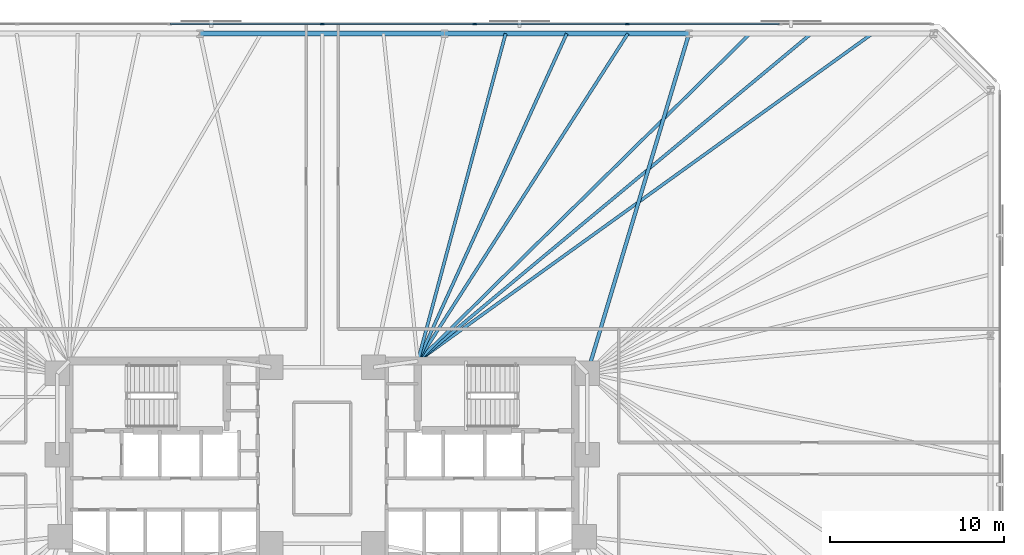
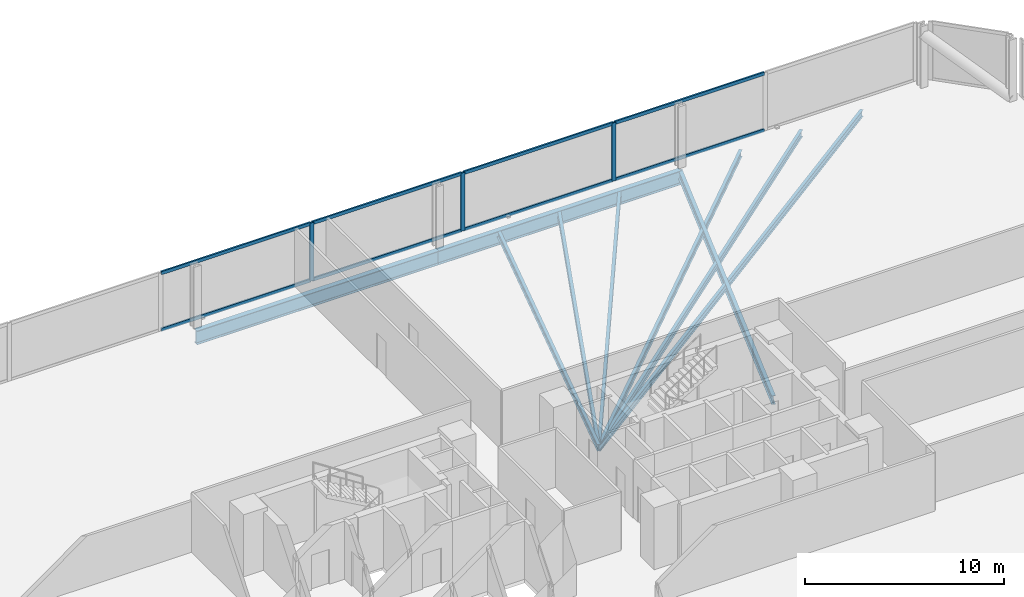
# One storey, part 9 of 16: 11 members, 9 beams, 1 element without a shape of its own.
"""IFC4 building model written with IfcOpenShell, lengths in metres."""

from ifc_helpers import new_model, si_unit, direction, frame, origin, origin_2d, place, context, subcontext, project, spatial, rectangle, i_section, extrude, material, material_profile, profile_set, type_object, element, aggregate, save


model = new_model("IFC4")

# Units and contexts
model_context = context("Model", 3, precision=1e-05, world=origin(), true_north=direction((0.0, 1.0)))
body_context = subcontext(model_context, "Body", "Model", "MODEL_VIEW")
ifc_project = project(units=[si_unit("LENGTHUNIT", "METRE"), si_unit("AREAUNIT", "SQUARE_METRE"), si_unit("VOLUMEUNIT", "CUBIC_METRE"), si_unit("PLANEANGLEUNIT", "RADIAN"), si_unit("MASSUNIT", "GRAM", prefix="KILO")], contexts=[model_context])

# Site, building, storey
site_placement = place(None, origin())
site = spatial("IfcSite", under=ifc_project, at=site_placement, CompositionType="ELEMENT")
building_placement = place(site_placement, origin())
building = spatial("IfcBuilding", under=site, at=building_placement, Name="Menara Jurai Vektor", CompositionType="ELEMENT")
storey_placement = place(building_placement, frame((0.0, 0.0, 67.39990234375)))
storey = spatial("IfcBuildingStorey", under=building, at=storey_placement, Name="L16", CompositionType="ELEMENT", Elevation=67.39990234375)

# Curtain wall, members
ifc_material_1 = material(Name="Anodised Pale Aluminium & Low-E Double Glazing", Category="aluminium")
curtain_wall_type = type_object("IfcCurtainWallType", Name="CW-BLK1", PredefinedType="NOTDEFINED", material=ifc_material_1)
curtain_wall_placement = place(storey_placement, origin())
curtain_wall = element("IfcCurtainWall", 1, at=curtain_wall_placement, inside=storey, type_object=curtain_wall_type, Name="Unitised Curtain Wall L16 F05", PredefinedType="NOTDEFINED")
ifc_material_2 = material(Name="Anodised Pale Aluminium Mullion", Category="aluminium")
ifc_material_profile_1 = material_profile(ifc_material_2, rectangle(XDim=0.094970703125, YDim=0.239990234375, at=origin_2d()), Name="ALU MUL 95x240")
ifc_profile_set_1 = profile_set([ifc_material_profile_1], Name="Anodised Pale Aluminium Mullion")
member_type_1 = type_object("IfcMemberType", Name="CW-BLK1-MUL", PredefinedType="MULLION", material=ifc_profile_set_1)
member_1_placement = place(storey_placement, frame((17.56005859375, 25.0, 0.0), z_axis=(0.0, 0.0, 1.0), x_axis=(0.0, -1.0, 0.0)))
member_1 = element("IfcMember", 2, at=member_1_placement, type_object=member_type_1, Name="CW-01 mullion 3", PredefinedType="MULLION", context=body_context, shape_type="SweptSolid", body=[
    extrude(rectangle(XDim=0.094970703125, YDim=0.239990234375, at=origin_2d()), origin(), (0.0, 0.0, 1.0), 3.5751953125),
])
member_2_placement = place(storey_placement, frame((8.780029296875, 25.0, 0.0), z_axis=(0.0, 0.0, 1.0), x_axis=(0.0, -1.0, 0.0)))
member_2 = element("IfcMember", 3, at=member_2_placement, type_object=member_type_1, Name="CW-01 mullion 4", PredefinedType="MULLION", context=body_context, shape_type="SweptSolid", body=[
    extrude(rectangle(XDim=0.094970703125, YDim=0.239990234375, at=origin_2d()), origin(), (0.0, 0.0, 1.0), 3.5751953125),
])
member_3_placement = place(storey_placement, frame((0.0, 25.0, 0.0), z_axis=(0.0, 0.0, 1.0), x_axis=(0.0, -1.0, 0.0)))
member_3 = element("IfcMember", 4, at=member_3_placement, type_object=member_type_1, Name="CW-01 mullion 5", PredefinedType="MULLION", context=body_context, shape_type="SweptSolid", body=[
    extrude(rectangle(XDim=0.094970703125, YDim=0.239990234375, at=origin_2d()), origin(), (0.0, 0.0, 1.0), 3.5751953125),
])
ifc_material_3 = material(Name="Anodised Pale Aluminium Transom", Category="aluminium")
ifc_material_profile_2 = material_profile(ifc_material_3, rectangle(XDim=0.094970703125, YDim=0.199951171875, at=origin_2d()), Name="ALU TRN 95x200")
ifc_profile_set_2 = profile_set([ifc_material_profile_2], Name="Anodised Pale Aluminium Transom")
member_type_2 = type_object("IfcMemberType", Name="CW-BLK1-TRN", PredefinedType="USERDEFINED", material=ifc_profile_set_2)
member_4_placement = place(storey_placement, frame((26.29248046875, 25.0, 0.047607421875), z_axis=(-1.0, 0.0, 0.0), x_axis=(0.0, -1.0, 0.0)))
member_4 = element("IfcMember", 5, at=member_4_placement, type_object=member_type_2, Name="CW-01 transom 2.1", ObjectType="TRANSOM", PredefinedType="USERDEFINED", context=body_context, shape_type="SweptSolid", body=[
    extrude(rectangle(XDim=0.094970703125, YDim=0.199951171875, at=origin_2d()), origin(), (0.0, 0.0, 1.0), 8.68505859375),
])
member_5_placement = place(storey_placement, frame((26.29248046875, 25.0, 3.527587890625), z_axis=(-1.0, 0.0, 0.0), x_axis=(0.0, -1.0, 0.0)))
member_5 = element("IfcMember", 6, at=member_5_placement, type_object=member_type_2, Name="CW-01 transom 2.2", ObjectType="TRANSOM", PredefinedType="USERDEFINED", context=body_context, shape_type="SweptSolid", body=[
    extrude(rectangle(XDim=0.094970703125, YDim=0.199951171875, at=origin_2d()), origin(), (0.0, 0.0, 1.0), 8.68505859375),
])
member_6_placement = place(storey_placement, frame((17.512451171875, 25.0, 0.047607421875), z_axis=(-1.0, 0.0, 0.0), x_axis=(0.0, -1.0, 0.0)))
member_6 = element("IfcMember", 7, at=member_6_placement, type_object=member_type_2, Name="CW-01 transom 3.1", ObjectType="TRANSOM", PredefinedType="USERDEFINED", context=body_context, shape_type="SweptSolid", body=[
    extrude(rectangle(XDim=0.094970703125, YDim=0.199951171875, at=origin_2d()), origin(), (0.0, 0.0, 1.0), 8.68505859375),
])
member_7_placement = place(storey_placement, frame((17.512451171875, 25.0, 3.527587890625), z_axis=(-1.0, 0.0, 0.0), x_axis=(0.0, -1.0, 0.0)))
member_7 = element("IfcMember", 8, at=member_7_placement, type_object=member_type_2, Name="CW-01 transom 3.2", ObjectType="TRANSOM", PredefinedType="USERDEFINED", context=body_context, shape_type="SweptSolid", body=[
    extrude(rectangle(XDim=0.094970703125, YDim=0.199951171875, at=origin_2d()), origin(), (0.0, 0.0, 1.0), 8.68505859375),
])
member_8_placement = place(storey_placement, frame((8.732421875, 25.0, 0.047607421875), z_axis=(-1.0, 0.0, 0.0), x_axis=(0.0, -1.0, 0.0)))
member_8 = element("IfcMember", 9, at=member_8_placement, type_object=member_type_2, Name="CW-01 transom 4.1", ObjectType="TRANSOM", PredefinedType="USERDEFINED", context=body_context, shape_type="SweptSolid", body=[
    extrude(rectangle(XDim=0.094970703125, YDim=0.199951171875, at=origin_2d()), origin(), (0.0, 0.0, 1.0), 8.684814453125),
])
member_9_placement = place(storey_placement, frame((8.732421875, 25.0, 3.527587890625), z_axis=(-1.0, 0.0, 0.0), x_axis=(0.0, -1.0, 0.0)))
member_9 = element("IfcMember", 10, at=member_9_placement, type_object=member_type_2, Name="CW-01 transom 4.2", ObjectType="TRANSOM", PredefinedType="USERDEFINED", context=body_context, shape_type="SweptSolid", body=[
    extrude(rectangle(XDim=0.094970703125, YDim=0.199951171875, at=origin_2d()), origin(), (0.0, 0.0, 1.0), 8.684814453125),
])
member_10_placement = place(storey_placement, frame((-0.047607421875, 25.0, 0.047607421875), z_axis=(-1.0, 0.0, 0.0), x_axis=(0.0, -1.0, 0.0)))
member_10 = element("IfcMember", 11, at=member_10_placement, type_object=member_type_2, Name="CW-01 transom 5.1", ObjectType="TRANSOM", PredefinedType="USERDEFINED", context=body_context, shape_type="SweptSolid", body=[
    extrude(rectangle(XDim=0.094970703125, YDim=0.199951171875, at=origin_2d()), origin(), (0.0, 0.0, 1.0), 8.684814453125),
])
member_11_placement = place(storey_placement, frame((-0.047607421875, 25.0, 3.527587890625), z_axis=(-1.0, 0.0, 0.0), x_axis=(0.0, -1.0, 0.0)))
member_11 = element("IfcMember", 12, at=member_11_placement, type_object=member_type_2, Name="CW-01 transom 5.2", ObjectType="TRANSOM", PredefinedType="USERDEFINED", context=body_context, shape_type="SweptSolid", body=[
    extrude(rectangle(XDim=0.094970703125, YDim=0.199951171875, at=origin_2d()), origin(), (0.0, 0.0, 1.0), 8.684814453125),
])
aggregate(curtain_wall, [member_1, member_2, member_3, member_4, member_5, member_6, member_7, member_8, member_9, member_10, member_11])

# Beams
ifc_material_4 = material(Name="Steel S355", Category="steel")
ifc_material_profile_3 = material_profile(ifc_material_4, i_section(OverallWidth=0.2109375, OverallDepth=0.5390625, WebThickness=0.011962890625, FlangeThickness=0.01904296875, FilletRadius=0.012939453125, at=origin_2d()), Name="UKB 533x210x109")
ifc_profile_set_3 = profile_set([ifc_material_profile_3], Name="Steel S355")
beam_type_1 = type_object("IfcBeamType", Name="STR-BM-533", PredefinedType="BEAM", material=ifc_profile_set_3)
beam_1_placement = place(storey_placement, frame((21.106689453125, 24.449951171875, -0.494384765625), z_axis=(-0.286973617166, -0.957938486047, 0.0), x_axis=(0.957938486047, -0.286973617166, 0.0)))
element("IfcBeam", 13, at=beam_1_placement, inside=storey, type_object=beam_type_1, Name="Radial Floor Girder L16-N2", PredefinedType="BEAM", context=body_context, shape_type="SweptSolid", body=[
    extrude(i_section(OverallWidth=0.2109375, OverallDepth=0.5390625, WebThickness=0.011962890625, FlangeThickness=0.01904296875, FilletRadius=0.012939453125, at=origin_2d()), origin(), (0.0, 0.0, 1.0), 20.408447265625),
])
ifc_material_profile_4 = material_profile(ifc_material_4, i_section(OverallWidth=0.178955078125, OverallDepth=0.408935546875, WebThickness=0.009033203125, FlangeThickness=0.013916015625, FilletRadius=0.010009765625, at=origin_2d()), Name="UKB 406x178x67")
ifc_profile_set_4 = profile_set([ifc_material_profile_4], Name="Steel S355")
beam_type_2 = type_object("IfcBeamType", Name="STR-JS-406", PredefinedType="JOIST", material=ifc_profile_set_4)
beam_2_placement = place(storey_placement, frame((31.659912109375, 24.449951171875, -0.429443359375), z_axis=(-0.81131785733, -0.584605280833, 0.0), x_axis=(0.584605280833, -0.81131785733, 0.0)))
element("IfcBeam", 14, at=beam_2_placement, inside=storey, type_object=beam_type_2, Name="Radial Secondary Floor Joist L16-JS16", PredefinedType="JOIST", context=body_context, shape_type="SweptSolid", body=[
    extrude(i_section(OverallWidth=0.178955078125, OverallDepth=0.408935546875, WebThickness=0.009033203125, FlangeThickness=0.013916015625, FilletRadius=0.010009765625, at=origin_2d()), origin(), (0.0, 0.0, 1.0), 32.24365234375),
])
beam_3_placement = place(storey_placement, frame((28.142333984375, 24.449951171875, -0.429443359375), z_axis=(-0.76853431665, -0.639808568347, 0.0), x_axis=(0.639808568347, -0.76853431665, 0.0)))
element("IfcBeam", 15, at=beam_3_placement, inside=storey, type_object=beam_type_2, Name="Radial Secondary Floor Joist L16-JS17", PredefinedType="JOIST", context=body_context, shape_type="SweptSolid", body=[
    extrude(i_section(OverallWidth=0.178955078125, OverallDepth=0.408935546875, WebThickness=0.009033203125, FlangeThickness=0.013916015625, FilletRadius=0.010009765625, at=origin_2d()), origin(), (0.0, 0.0, 1.0), 29.461669921875),
])
beam_4_placement = place(storey_placement, frame((24.62451171875, 24.449951171875, -0.429443359375), z_axis=(-0.712202462998, -0.70197411042, 0.0), x_axis=(0.70197411042, -0.712202462998, 0.0)))
element("IfcBeam", 16, at=beam_4_placement, inside=storey, type_object=beam_type_2, Name="Radial Secondary Floor Joist L16-JS18", PredefinedType="JOIST", context=body_context, shape_type="SweptSolid", body=[
    extrude(i_section(OverallWidth=0.178955078125, OverallDepth=0.408935546875, WebThickness=0.009033203125, FlangeThickness=0.013916015625, FilletRadius=0.010009765625, at=origin_2d()), origin(), (0.0, 0.0, 1.0), 26.8525390625),
])
beam_5_placement = place(storey_placement, frame((17.5888671875, 24.449951171875, -0.429443359375), z_axis=(-0.53984422461, -0.841764939372, 0.0), x_axis=(0.841764939372, -0.53984422461, 0.0)))
element("IfcBeam", 17, at=beam_5_placement, inside=storey, type_object=beam_type_2, Name="Radial Secondary Floor Joist L16-JS19", PredefinedType="JOIST", context=body_context, shape_type="SweptSolid", body=[
    extrude(i_section(OverallWidth=0.178955078125, OverallDepth=0.408935546875, WebThickness=0.009033203125, FlangeThickness=0.013916015625, FilletRadius=0.010009765625, at=origin_2d()), origin(), (0.0, 0.0, 1.0), 22.393310546875),
])
beam_6_placement = place(storey_placement, frame((14.071044921875, 24.449951171875, -0.429443359375), z_axis=(-0.413920197297, -0.910313171535, 0.0), x_axis=(0.910313171535, -0.413920197297, 0.0)))
element("IfcBeam", 18, at=beam_6_placement, inside=storey, type_object=beam_type_2, Name="Radial Secondary Floor Joist L16-JS20", PredefinedType="JOIST", context=body_context, shape_type="SweptSolid", body=[
    extrude(i_section(OverallWidth=0.178955078125, OverallDepth=0.408935546875, WebThickness=0.009033203125, FlangeThickness=0.013916015625, FilletRadius=0.010009765625, at=origin_2d()), origin(), (0.0, 0.0, 1.0), 20.70703125),
])
beam_7_placement = place(storey_placement, frame((10.55322265625, 24.449951171875, -0.429443359375), z_axis=(-0.258934723238, -0.965894823002, 0.0), x_axis=(0.965894823002, -0.258934723238, 0.0)))
element("IfcBeam", 19, at=beam_7_placement, inside=storey, type_object=beam_type_2, Name="Radial Secondary Floor Joist L16-JS21", PredefinedType="JOIST", context=body_context, shape_type="SweptSolid", body=[
    extrude(i_section(OverallWidth=0.178955078125, OverallDepth=0.408935546875, WebThickness=0.009033203125, FlangeThickness=0.013916015625, FilletRadius=0.010009765625, at=origin_2d()), origin(), (0.0, 0.0, 1.0), 19.515380859375),
])
ifc_material_5 = material(Name="Steel S460", Category="steel")
ifc_material_profile_5 = material_profile(ifc_material_5, i_section(OverallWidth=0.2939453125, OverallDepth=0.85107421875, WebThickness=0.01611328125, FlangeThickness=0.027099609375, FilletRadius=0.01806640625, at=origin_2d()), Name="UKB 838x292x226")
ifc_profile_set_5 = profile_set([ifc_material_profile_5], Name="Steel S460")
beam_type_3 = type_object("IfcBeamType", Name="STR-SP-838", PredefinedType="SPANDREL", material=ifc_profile_set_5)
beam_8_placement = place(storey_placement, frame((21.106689453125, 24.449951171875, -0.650390625), z_axis=(-1.0, 0.0, 0.0), x_axis=(0.0, -1.0, 0.0)))
element("IfcBeam", 20, at=beam_8_placement, inside=storey, type_object=beam_type_3, Name="Exoskeleton Spandrel Beam L16-12", PredefinedType="SPANDREL", context=body_context, shape_type="SweptSolid", body=[
    extrude(i_section(OverallWidth=0.2939453125, OverallDepth=0.85107421875, WebThickness=0.01611328125, FlangeThickness=0.027099609375, FilletRadius=0.01806640625, at=origin_2d()), origin(), (0.0, 0.0, 1.0), 14.071044921875),
])
beam_9_placement = place(storey_placement, frame((7.03564453125, 24.449951171875, -0.650390625), z_axis=(-1.0, 0.0, 0.0), x_axis=(0.0, -1.0, 0.0)))
element("IfcBeam", 21, at=beam_9_placement, inside=storey, type_object=beam_type_3, Name="Exoskeleton Spandrel Beam L16-13", PredefinedType="SPANDREL", context=body_context, shape_type="SweptSolid", body=[
    extrude(i_section(OverallWidth=0.2939453125, OverallDepth=0.85107421875, WebThickness=0.01611328125, FlangeThickness=0.027099609375, FilletRadius=0.01806640625, at=origin_2d()), origin(), (0.0, 0.0, 1.0), 14.0712890625),
])

save(model, "model.ifc")
